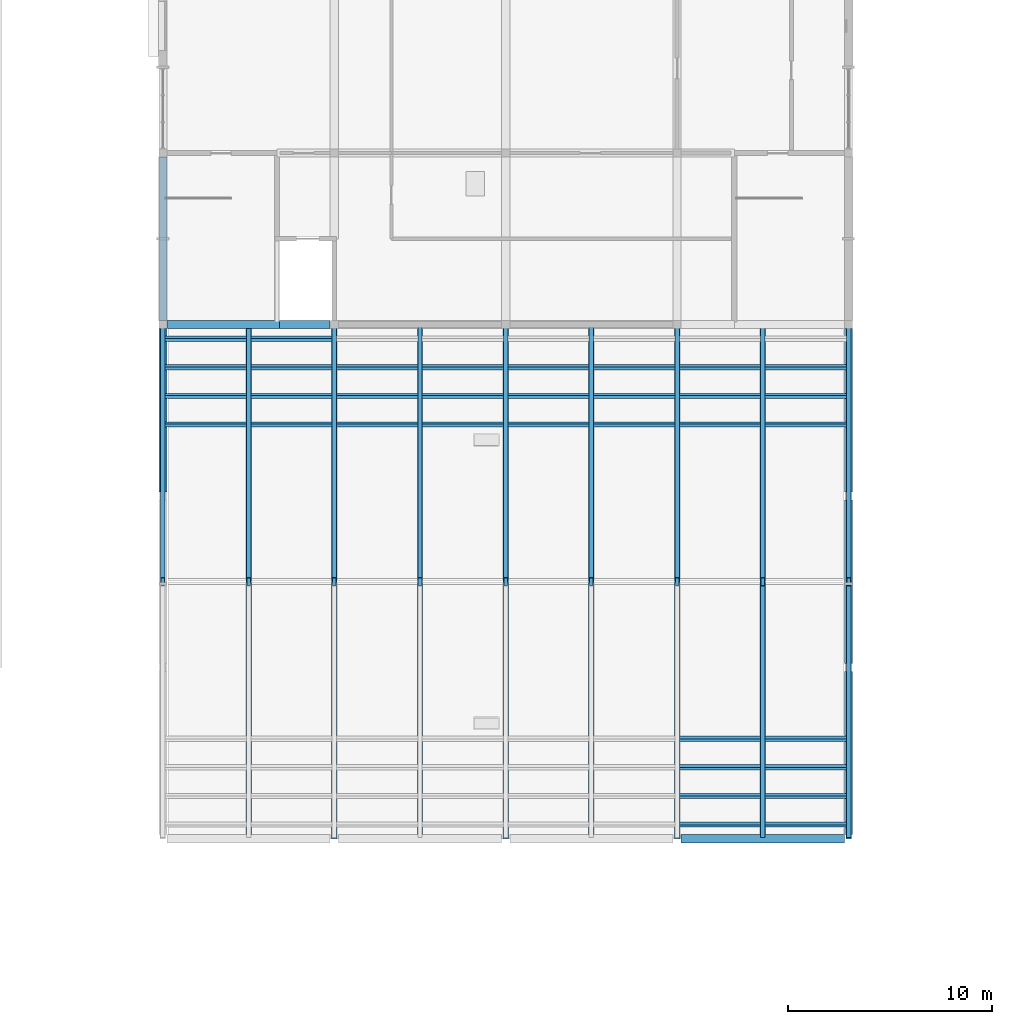
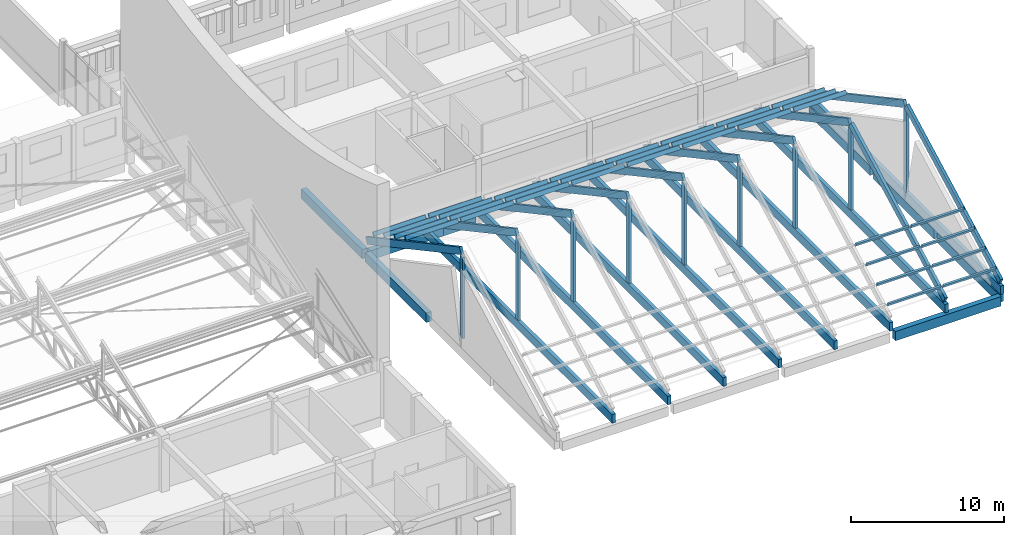
# One storey, part 45 of 101: 54 members, 16 beams.
"""IFC4 building model written with IfcOpenShell, lengths in metres."""

from ifc_helpers import new_model, si_unit, direction, frame, origin, origin_2d, place, context, subcontext, project, spatial, rectangle, extrude, material, material_profile, profile_set, type_object, element, save


model = new_model("IFC4")

# Units and contexts
model_context = context("Model", 3, precision=1e-05, world=origin(), true_north=direction((0.0, 1.0)))
body_context = subcontext(model_context, "Body", "Model", "MODEL_VIEW")
ifc_project = project(units=[si_unit("LENGTHUNIT", "METRE"), si_unit("AREAUNIT", "SQUARE_METRE"), si_unit("VOLUMEUNIT", "CUBIC_METRE"), si_unit("PLANEANGLEUNIT", "RADIAN"), si_unit("MASSUNIT", "GRAM", prefix="KILO")], contexts=[model_context])

# Site, building, storey
site_placement = place(None, origin())
site = spatial("IfcSite", under=ifc_project, at=site_placement, CompositionType="ELEMENT")
building_placement = place(site_placement, origin())
building = spatial("IfcBuilding", under=site, at=building_placement, Name="Fescue Hill Polytechnic", CompositionType="ELEMENT")
storey_placement = place(building_placement, frame((0.0, 0.0, 9.0)))
storey = spatial("IfcBuildingStorey", under=building, at=storey_placement, Name="L02", CompositionType="ELEMENT", Elevation=9.0)

# Beams
ifc_material_1 = material(Name="Concrete 35 MPa", Category="concrete")
ifc_material_profile_1 = material_profile(ifc_material_1, rectangle(XDim=0.39990234375, YDim=0.75, at=origin_2d()), Name="RC 400x750")
ifc_profile_set_1 = profile_set([ifc_material_profile_1], Name="Concrete 35 MPa")
beam_type_1 = type_object("IfcBeamType", Name="Beam RC 400x750", PredefinedType="BEAM", material=ifc_profile_set_1)
for number, where, z_axis, x_axis, name in (
    (1, (126.0, 33.39990234375, -0.375), (0.0, -1.0, 0.0), (1.0, 0.0, 0.0), "BM-L02-0190"),
    (2, (126.0, 33.800048828125, -0.375), (0.0, 1.0, 0.0), (-1.0, 0.0, 0.0), "BM-L02-0191"),
):
    element("IfcBeam", number, at=place(storey_placement, frame(where, z_axis=z_axis, x_axis=x_axis)), inside=storey, type_object=beam_type_1, Name=name, PredefinedType="BEAM", context=body_context, shape_type="SweptSolid", body=[
        extrude(rectangle(XDim=0.39990234375, YDim=0.75, at=origin_2d()), origin(), (0.0, 0.0, 1.0), 8.0),
    ])
beam_1_placement = place(storey_placement, frame((126.199951171875, 33.60009765625, -0.375), z_axis=(1.0, 0.0, 0.0), x_axis=(0.0, 1.0, 0.0)))
element("IfcBeam", 3, at=beam_1_placement, inside=storey, type_object=beam_type_1, Name="BM-L02-0193", PredefinedType="BEAM", context=body_context, shape_type="SweptSolid", body=[
    extrude(rectangle(XDim=0.39990234375, YDim=0.75, at=origin_2d()), origin(), (0.0, 0.0, 1.0), 5.525146484375),
])
beam_2_placement = place(storey_placement, frame((131.72509765625, 33.60009765625, -0.375), z_axis=(1.0, 0.0, 0.0), x_axis=(0.0, 1.0, 0.0)))
element("IfcBeam", 4, at=beam_2_placement, inside=storey, type_object=beam_type_1, Name="BM-L02-0195", PredefinedType="BEAM", context=body_context, shape_type="SweptSolid", body=[
    extrude(rectangle(XDim=0.39990234375, YDim=0.75, at=origin_2d()), origin(), (0.0, 0.0, 1.0), 2.474853515625),
])
for number, where, z_axis, x_axis, name in (
    (5, (151.39990234375, 8.39990234375, -0.375), (1.0, 0.0, 0.0), (0.0, 1.0, 0.0), "BM-L02-0209"),
    (6, (159.60009765625, 8.60009765625, -0.375), (0.0, 1.0, 0.0), (-1.0, 0.0, 0.0), "BM-L02-0211"),
    (7, (159.60009765625, 17.0, -0.375), (0.0, 1.0, 0.0), (-1.0, 0.0, 0.0), "BM-L02-0212"),
    (8, (159.60009765625, 25.39990234375, -0.375), (0.0, 1.0, 0.0), (-1.0, 0.0, 0.0), "BM-L02-0213"),
):
    element("IfcBeam", number, at=place(storey_placement, frame(where, z_axis=z_axis, x_axis=x_axis)), inside=storey, type_object=beam_type_1, Name=name, PredefinedType="BEAM", context=body_context, shape_type="SweptSolid", body=[
        extrude(rectangle(XDim=0.39990234375, YDim=0.75, at=origin_2d()), origin(), (0.0, 0.0, 1.0), 8.0),
    ])

# Members
ifc_material_2 = material(Name="Glulam 24f-EX", Category="wood")
ifc_material_profile_2 = material_profile(ifc_material_2, rectangle(XDim=0.1298828125, YDim=0.303955078125, at=origin_2d()), Name="Refectory glulam purlin 130x304")
ifc_profile_set_2 = profile_set([ifc_material_profile_2], Name="Glulam 24f-EX")
member_type_1 = type_object("IfcMemberType", Name="Refectory glulam purlin 130x304", PredefinedType="PURLIN", material=ifc_profile_set_2)
for number, where, z_axis, x_axis, name in (
    (9, (126.107421875, 32.89990234375, 1.67138671875), (1.0, 0.0, 0.0), (0.0, 0.882934197129, -0.469496755623), "Refectory purlin N1 bay 1"),
    (10, (126.107421875, 31.5, 2.415771484375), (1.0, 0.0, 0.0), (0.0, 0.882934197129, -0.469496755623), "Refectory purlin N2 bay 1"),
    (11, (126.107421875, 30.10009765625, 3.160400390625), (1.0, 0.0, 0.0), (0.0, 0.882934197129, -0.469496755623), "Refectory purlin N3 bay 1"),
    (12, (126.107421875, 28.699951171875, 3.90478515625), (1.0, 0.0, 0.0), (0.0, 0.882934197129, -0.469496755623), "Refectory purlin N4 bay 1"),
):
    element("IfcMember", number, at=place(storey_placement, frame(where, z_axis=z_axis, x_axis=x_axis)), inside=storey, type_object=member_type_1, Name=name, PredefinedType="PURLIN", context=body_context, shape_type="SweptSolid", body=[
        extrude(rectangle(XDim=0.1298828125, YDim=0.303955078125, at=origin_2d()), origin(), (0.0, 0.0, 1.0), 3.985107421875),
    ])
for number, where, z_axis, x_axis, name in (
    (13, (130.3076171875, 32.89990234375, 1.67138671875), (1.0, 0.0, 0.0), (0.0, 0.882934197129, -0.469496755623), "Refectory purlin N1 bay 2"),
    (14, (130.3076171875, 31.5, 2.415771484375), (1.0, 0.0, 0.0), (0.0, 0.882934197129, -0.469496755623), "Refectory purlin N2 bay 2"),
    (15, (130.3076171875, 30.10009765625, 3.160400390625), (1.0, 0.0, 0.0), (0.0, 0.882934197129, -0.469496755623), "Refectory purlin N3 bay 2"),
    (16, (130.3076171875, 28.699951171875, 3.90478515625), (1.0, 0.0, 0.0), (0.0, 0.882934197129, -0.469496755623), "Refectory purlin N4 bay 2"),
    (17, (134.507568359375, 31.5, 2.415771484375), (1.0, 0.0, 0.0), (0.0, 0.882934197129, -0.469496755623), "Refectory purlin N2 bay 3"),
    (18, (134.507568359375, 30.10009765625, 3.160400390625), (1.0, 0.0, 0.0), (0.0, 0.882934197129, -0.469496755623), "Refectory purlin N3 bay 3"),
    (19, (134.507568359375, 28.699951171875, 3.90478515625), (1.0, 0.0, 0.0), (0.0, 0.882934197129, -0.469496755623), "Refectory purlin N4 bay 3"),
    (20, (138.70751953125, 31.5, 2.415771484375), (1.0, 0.0, 0.0), (0.0, 0.882934197129, -0.469496755623), "Refectory purlin N2 bay 4"),
    (21, (138.70751953125, 30.10009765625, 3.160400390625), (1.0, 0.0, 0.0), (0.0, 0.882934197129, -0.469496755623), "Refectory purlin N3 bay 4"),
    (22, (138.70751953125, 28.699951171875, 3.90478515625), (1.0, 0.0, 0.0), (0.0, 0.882934197129, -0.469496755623), "Refectory purlin N4 bay 4"),
):
    element("IfcMember", number, at=place(storey_placement, frame(where, z_axis=z_axis, x_axis=x_axis)), inside=storey, type_object=member_type_1, Name=name, PredefinedType="PURLIN", context=body_context, shape_type="SweptSolid", body=[
        extrude(rectangle(XDim=0.1298828125, YDim=0.303955078125, at=origin_2d()), origin(), (0.0, 0.0, 1.0), 3.98486328125),
    ])
for number, where, z_axis, x_axis, name in (
    (23, (142.907470703125, 31.5, 2.415771484375), (1.0, 0.0, 0.0), (0.0, 0.882934197129, -0.469496755623), "Refectory purlin N2 bay 5"),
    (24, (142.907470703125, 30.10009765625, 3.160400390625), (1.0, 0.0, 0.0), (0.0, 0.882934197129, -0.469496755623), "Refectory purlin N3 bay 5"),
    (25, (142.907470703125, 28.699951171875, 3.90478515625), (1.0, 0.0, 0.0), (0.0, 0.882934197129, -0.469496755623), "Refectory purlin N4 bay 5"),
    (26, (147.107421875, 31.5, 2.415771484375), (1.0, 0.0, 0.0), (0.0, 0.882934197129, -0.469496755623), "Refectory purlin N2 bay 6"),
    (27, (147.107421875, 30.10009765625, 3.160400390625), (1.0, 0.0, 0.0), (0.0, 0.882934197129, -0.469496755623), "Refectory purlin N3 bay 6"),
    (28, (147.107421875, 28.699951171875, 3.90478515625), (1.0, 0.0, 0.0), (0.0, 0.882934197129, -0.469496755623), "Refectory purlin N4 bay 6"),
):
    element("IfcMember", number, at=place(storey_placement, frame(where, z_axis=z_axis, x_axis=x_axis)), inside=storey, type_object=member_type_1, Name=name, PredefinedType="PURLIN", context=body_context, shape_type="SweptSolid", body=[
        extrude(rectangle(XDim=0.1298828125, YDim=0.303955078125, at=origin_2d()), origin(), (0.0, 0.0, 1.0), 3.985107421875),
    ])
for number, where, z_axis, x_axis, name in (
    (29, (151.3076171875, 9.10009765625, 1.67138671875), (1.0, 0.0, 0.0), (0.0, 0.882934197129, 0.469496755623), "Refectory purlin S1 bay 7"),
    (30, (151.3076171875, 10.5, 2.415771484375), (1.0, 0.0, 0.0), (0.0, 0.882934197129, 0.469496755623), "Refectory purlin S2 bay 7"),
    (31, (151.3076171875, 31.5, 2.415771484375), (1.0, 0.0, 0.0), (0.0, 0.882934197129, -0.469496755623), "Refectory purlin N2 bay 7"),
    (32, (151.3076171875, 11.89990234375, 3.160400390625), (1.0, 0.0, 0.0), (0.0, 0.882934197129, 0.469496755623), "Refectory purlin S3 bay 7"),
    (33, (151.3076171875, 30.10009765625, 3.160400390625), (1.0, 0.0, 0.0), (0.0, 0.882934197129, -0.469496755623), "Refectory purlin N3 bay 7"),
    (34, (151.3076171875, 13.300048828125, 3.90478515625), (1.0, 0.0, 0.0), (0.0, 0.882934197129, 0.469496755623), "Refectory purlin S4 bay 7"),
    (35, (151.3076171875, 28.699951171875, 3.90478515625), (1.0, 0.0, 0.0), (0.0, 0.882934197129, -0.469496755623), "Refectory purlin N4 bay 7"),
    (36, (155.507568359375, 9.10009765625, 1.67138671875), (1.0, 0.0, 0.0), (0.0, 0.882934197129, 0.469496755623), "Refectory purlin S1 bay 8"),
    (37, (155.507568359375, 10.5, 2.415771484375), (1.0, 0.0, 0.0), (0.0, 0.882934197129, 0.469496755623), "Refectory purlin S2 bay 8"),
    (38, (155.507568359375, 31.5, 2.415771484375), (1.0, 0.0, 0.0), (0.0, 0.882934197129, -0.469496755623), "Refectory purlin N2 bay 8"),
    (39, (155.507568359375, 11.89990234375, 3.160400390625), (1.0, 0.0, 0.0), (0.0, 0.882934197129, 0.469496755623), "Refectory purlin S3 bay 8"),
    (40, (155.507568359375, 30.10009765625, 3.160400390625), (1.0, 0.0, 0.0), (0.0, 0.882934197129, -0.469496755623), "Refectory purlin N3 bay 8"),
    (41, (155.507568359375, 13.300048828125, 3.90478515625), (1.0, 0.0, 0.0), (0.0, 0.882934197129, 0.469496755623), "Refectory purlin S4 bay 8"),
    (42, (155.507568359375, 28.699951171875, 3.90478515625), (1.0, 0.0, 0.0), (0.0, 0.882934197129, -0.469496755623), "Refectory purlin N4 bay 8"),
):
    element("IfcMember", number, at=place(storey_placement, frame(where, z_axis=z_axis, x_axis=x_axis)), inside=storey, type_object=member_type_1, Name=name, PredefinedType="PURLIN", context=body_context, shape_type="SweptSolid", body=[
        extrude(rectangle(XDim=0.1298828125, YDim=0.303955078125, at=origin_2d()), origin(), (0.0, 0.0, 1.0), 3.98486328125),
    ])
ifc_material_profile_3 = material_profile(ifc_material_2, rectangle(XDim=0.215087890625, YDim=0.531982421875, at=origin_2d()), Name="Refectory glulam rafter 215x532")
ifc_profile_set_3 = profile_set([ifc_material_profile_3], Name="Glulam 24f-EX")
member_type_2 = type_object("IfcMemberType", Name="Refectory glulam rafter 215x532", PredefinedType="RAFTER", material=ifc_profile_set_3)
for number, where, z_axis, x_axis, name in (
    (43, (126.0, 33.4248046875, 0.9189453125), (0.0, -0.880170033315, 0.474658521944), (1.0, 0.0, 0.0), "Refectory rafter N1"),
    (44, (130.199951171875, 33.4248046875, 0.9189453125), (0.0, -0.880170033315, 0.474658521944), (1.0, 0.0, 0.0), "Refectory rafter N2"),
    (45, (134.39990234375, 33.4248046875, 0.9189453125), (0.0, -0.880170033315, 0.474658521944), (1.0, 0.0, 0.0), "Refectory rafter N3"),
    (46, (138.60009765625, 33.4248046875, 0.9189453125), (0.0, -0.880170033315, 0.474658521944), (1.0, 0.0, 0.0), "Refectory rafter N4"),
    (47, (142.800048828125, 33.4248046875, 0.9189453125), (0.0, -0.880170033315, 0.474658521944), (1.0, 0.0, 0.0), "Refectory rafter N5"),
    (48, (147.0, 33.4248046875, 0.9189453125), (0.0, -0.880170033315, 0.474658521944), (1.0, 0.0, 0.0), "Refectory rafter N6"),
    (49, (151.199951171875, 33.4248046875, 0.9189453125), (0.0, -0.880170033315, 0.474658521944), (1.0, 0.0, 0.0), "Refectory rafter N7"),
):
    element("IfcMember", number, at=place(storey_placement, frame(where, z_axis=z_axis, x_axis=x_axis)), inside=storey, type_object=member_type_2, Name=name, PredefinedType="RAFTER", context=body_context, shape_type="SweptSolid", body=[
        extrude(rectangle(XDim=0.215087890625, YDim=0.531982421875, at=origin_2d()), origin(), (0.0, 0.0, 1.0), 14.01708984375),
    ])
member_1_placement = place(storey_placement, frame((155.39990234375, 8.5751953125, 0.9189453125), z_axis=(0.0, 0.882936036566, 0.469493296366), x_axis=(-1.0, 0.0, 0.0)))
element("IfcMember", 50, at=member_1_placement, inside=storey, type_object=member_type_2, Name="Refectory rafter S8", PredefinedType="RAFTER", context=body_context, shape_type="SweptSolid", body=[
    extrude(rectangle(XDim=0.215087890625, YDim=0.531982421875, at=origin_2d()), origin(), (0.0, 0.0, 1.0), 13.97314453125),
])
member_2_placement = place(storey_placement, frame((155.39990234375, 33.4248046875, 0.9189453125), z_axis=(0.0, -0.880170033315, 0.474658521944), x_axis=(1.0, 0.0, 0.0)))
element("IfcMember", 51, at=member_2_placement, inside=storey, type_object=member_type_2, Name="Refectory rafter N8", PredefinedType="RAFTER", context=body_context, shape_type="SweptSolid", body=[
    extrude(rectangle(XDim=0.215087890625, YDim=0.531982421875, at=origin_2d()), origin(), (0.0, 0.0, 1.0), 14.01708984375),
])
member_3_placement = place(storey_placement, frame((159.60009765625, 8.5751953125, 0.9189453125), z_axis=(0.0, 0.882936036566, 0.469493296366), x_axis=(-1.0, 0.0, 0.0)))
element("IfcMember", 52, at=member_3_placement, inside=storey, type_object=member_type_2, Name="Refectory rafter S9", PredefinedType="RAFTER", context=body_context, shape_type="SweptSolid", body=[
    extrude(rectangle(XDim=0.215087890625, YDim=0.531982421875, at=origin_2d()), origin(), (0.0, 0.0, 1.0), 13.97314453125),
])
member_4_placement = place(storey_placement, frame((159.60009765625, 33.4248046875, 0.9189453125), z_axis=(0.0, -0.880170033315, 0.474658521944), x_axis=(1.0, 0.0, 0.0)))
element("IfcMember", 53, at=member_4_placement, inside=storey, type_object=member_type_2, Name="Refectory rafter N9", PredefinedType="RAFTER", context=body_context, shape_type="SweptSolid", body=[
    extrude(rectangle(XDim=0.215087890625, YDim=0.531982421875, at=origin_2d()), origin(), (0.0, 0.0, 1.0), 14.01708984375),
])

# Beams
ifc_material_profile_4 = material_profile(ifc_material_2, rectangle(XDim=0.264892578125, YDim=0.68408203125, at=origin_2d()), Name="Refectory glulam roof tie 265x684")
ifc_profile_set_4 = profile_set([ifc_material_profile_4], Name="Glulam 24f-EX")
beam_type_2 = type_object("IfcBeamType", Name="Refectory glulam roof tie 265x684", PredefinedType="BEAM", material=ifc_profile_set_4)
for number, where, z_axis, x_axis, name in (
    (54, (130.199951171875, 8.39990234375, 0.342041015625), (0.0, 1.0, 0.0), (-1.0, 0.0, 0.0), "Refectory roof tie 2"),
    (55, (134.39990234375, 8.39990234375, 0.342041015625), (0.0, 1.0, 0.0), (-1.0, 0.0, 0.0), "Refectory roof tie 3"),
    (56, (138.60009765625, 8.39990234375, 0.342041015625), (0.0, 1.0, 0.0), (-1.0, 0.0, 0.0), "Refectory roof tie 4"),
    (57, (142.800048828125, 8.39990234375, 0.342041015625), (0.0, 1.0, 0.0), (-1.0, 0.0, 0.0), "Refectory roof tie 5"),
    (58, (147.0, 8.39990234375, 0.342041015625), (0.0, 1.0, 0.0), (-1.0, 0.0, 0.0), "Refectory roof tie 6"),
    (59, (151.199951171875, 8.39990234375, 0.342041015625), (0.0, 1.0, 0.0), (-1.0, 0.0, 0.0), "Refectory roof tie 7"),
    (60, (155.39990234375, 8.39990234375, 0.342041015625), (0.0, 1.0, 0.0), (-1.0, 0.0, 0.0), "Refectory roof tie 8"),
    (61, (159.60009765625, 8.39990234375, 0.342041015625), (0.0, 1.0, 0.0), (-1.0, 0.0, 0.0), "Refectory roof tie 9"),
):
    element("IfcBeam", number, at=place(storey_placement, frame(where, z_axis=z_axis, x_axis=x_axis)), inside=storey, type_object=beam_type_2, Name=name, PredefinedType="BEAM", context=body_context, shape_type="SweptSolid", body=[
        extrude(rectangle(XDim=0.264892578125, YDim=0.68408203125, at=origin_2d()), origin(), (0.0, 0.0, 1.0), 25.2001953125),
    ])

# Members
ifc_material_profile_5 = material_profile(ifc_material_2, rectangle(XDim=0.175048828125, YDim=0.3798828125, at=origin_2d()), Name="Refectory king post 175x380")
ifc_profile_set_5 = profile_set([ifc_material_profile_5], Name="Glulam 24f-EX")
member_type_3 = type_object("IfcMemberType", Name="Refectory king post 175x380", PredefinedType="POST", material=ifc_profile_set_5)
for number, where, z_axis, x_axis, name in (
    (62, (126.0, 21.0, 0.68408203125), (0.0, 0.0, 1.0), (1.0, 0.0, 0.0), "Refectory king post 1"),
    (63, (130.199951171875, 21.0, 0.68408203125), (0.0, 0.0, 1.0), (1.0, 0.0, 0.0), "Refectory king post 2"),
    (64, (134.39990234375, 21.0, 0.68408203125), (0.0, 0.0, 1.0), (1.0, 0.0, 0.0), "Refectory king post 3"),
    (65, (138.60009765625, 21.0, 0.68408203125), (0.0, 0.0, 1.0), (1.0, 0.0, 0.0), "Refectory king post 4"),
    (66, (142.800048828125, 21.0, 0.68408203125), (0.0, 0.0, 1.0), (1.0, 0.0, 0.0), "Refectory king post 5"),
    (67, (147.0, 21.0, 0.68408203125), (0.0, 0.0, 1.0), (1.0, 0.0, 0.0), "Refectory king post 6"),
    (68, (151.199951171875, 21.0, 0.68408203125), (0.0, 0.0, 1.0), (1.0, 0.0, 0.0), "Refectory king post 7"),
    (69, (155.39990234375, 21.0, 0.68408203125), (0.0, 0.0, 1.0), (1.0, 0.0, 0.0), "Refectory king post 8"),
    (70, (159.60009765625, 21.0, 0.68408203125), (0.0, 0.0, 1.0), (1.0, 0.0, 0.0), "Refectory king post 9"),
):
    element("IfcMember", number, at=place(storey_placement, frame(where, z_axis=z_axis, x_axis=x_axis)), inside=storey, type_object=member_type_3, Name=name, PredefinedType="POST", context=body_context, shape_type="SweptSolid", body=[
        extrude(rectangle(XDim=0.175048828125, YDim=0.3798828125, at=origin_2d()), origin(), (0.0, 0.0, 1.0), 6.493896484375),
    ])

save(model, "model.ifc")
